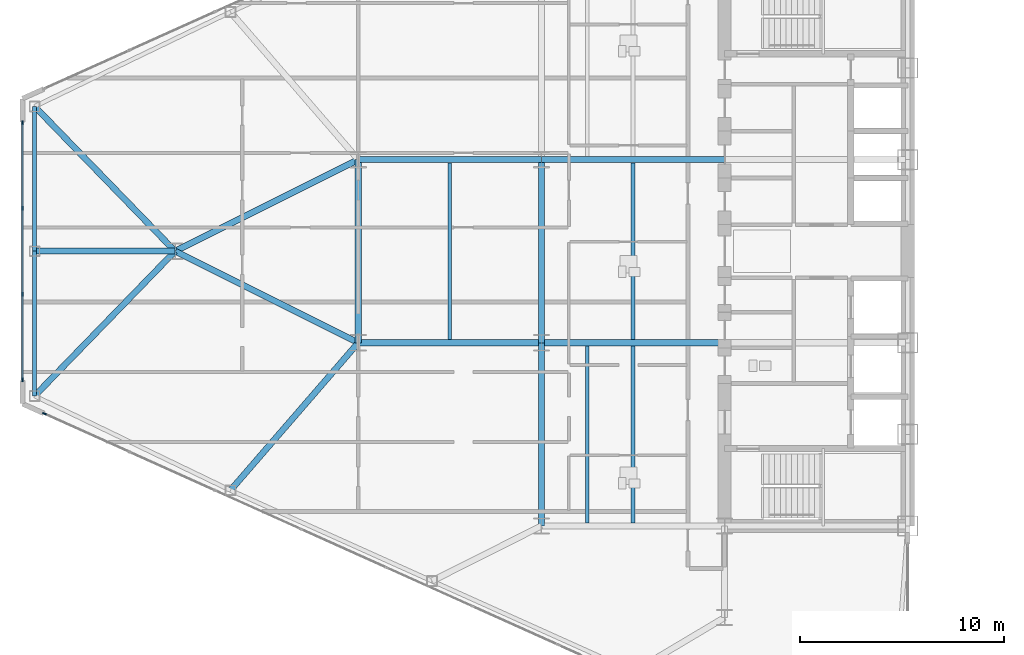
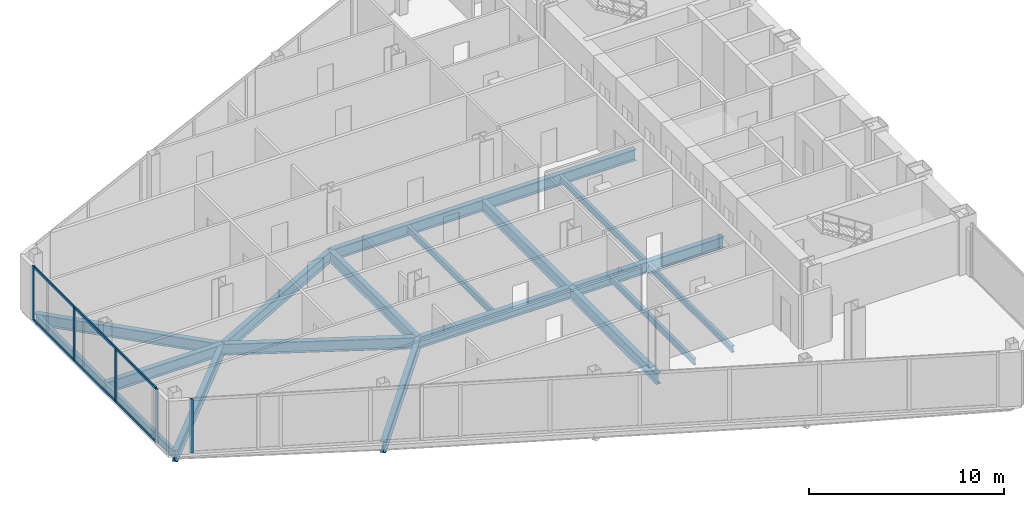
# One storey, part 5 of 27: 19 beams, 7 members, 2 elements without a shape of their own.
"""IFC4 building model written with IfcOpenShell, lengths in metres."""

import ifcopenshell
import ifcopenshell.guid

model = None  # the IFC model being written
_history = None  # IfcOwnerHistory: only IFC2X3 demands one
_inside = {}  # id of a spatial element -> (the spatial element, [elements in it])
_under = {}  # id of a project, library or spatial element -> (it, [spatial elements below it])
_declared = {}  # id of a project -> (the project, [libraries it declares])
_typed = {}  # id of a type object -> (the type object, [elements of that type])
_made_of = {}  # id of a material, layer set ... -> (it, [elements and type objects made of it])


def new_model(schema):
    """Start an empty IFC model of exactly this schema.

    Asked for "IFC4X3", IfcOpenShell would pick the latest addendum, in which some entities
    have other attributes; the version numbers below select the first issue.
    IFC2X3 requires an IfcOwnerHistory on every rooted entity: one is made here for all.
    """
    global model, _history
    if schema == "IFC4X3":
        model = ifcopenshell.file(schema_version=(4, 3, 0, 0))
    else:
        model = ifcopenshell.file(schema=schema)
    _inside.clear()
    _under.clear()
    _declared.clear()
    _typed.clear()
    _made_of.clear()
    _history = None
    if model.schema == "IFC2X3":
        org = make("IfcOrganization", Name="unknown")
        user = make(
            "IfcPersonAndOrganization",
            ThePerson=make("IfcPerson", FamilyName="unknown"),
            TheOrganization=org,
        )
        app = make(
            "IfcApplication",
            ApplicationDeveloper=org,
            Version="unknown",
            ApplicationFullName="unknown",
            ApplicationIdentifier="unknown",
        )
        _history = make(
            "IfcOwnerHistory",
            OwningUser=user,
            OwningApplication=app,
            ChangeAction="ADDED",
            CreationDate=0,
        )
    return model


def make(cls, **values):
    """One entity of the class cls with the attributes given. An attribute that is None is left unset."""
    return model.create_entity(
        cls, **{name: value for name, value in values.items() if value is not None}
    )


def rooted(cls, **values):
    """An entity with a GlobalId (a new one), such as an element, a storey or a relation."""
    return make(cls, GlobalId=ifcopenshell.guid.new(), OwnerHistory=_history, **values)


def si_unit(unit_type, name, prefix=None):
    """IfcSIUnit, for example si_unit("LENGTHUNIT", "METRE", prefix="MILLI")."""
    return make("IfcSIUnit", UnitType=unit_type, Prefix=prefix, Name=name)


def assignment(units):
    """IfcUnitAssignment: the units of a project."""
    return None if units is None else make("IfcUnitAssignment", Units=units)


def point(xyz):
    """IfcCartesianPoint."""
    return None if xyz is None else make("IfcCartesianPoint", Coordinates=xyz)


def direction(xyz):
    """IfcDirection."""
    return None if xyz is None else make("IfcDirection", DirectionRatios=xyz)


def frame(location, z_axis=None, x_axis=None):
    """IfcAxis2Placement3D, a coordinate frame: its origin and axes. An axis left out is left unset."""
    return make(
        "IfcAxis2Placement3D",
        Location=point(location),
        Axis=direction(z_axis),
        RefDirection=direction(x_axis),
    )


def frame_2d(location, x_axis=None):
    """IfcAxis2Placement2D, a coordinate frame in the plane: its origin and x axis."""
    return make(
        "IfcAxis2Placement2D", Location=point(location), RefDirection=direction(x_axis)
    )


def origin():
    """The frame at (0, 0, 0) with its axes left unset."""
    return frame((0.0, 0.0, 0.0))


def origin_2d():
    """The frame at (0, 0) in the plane with its x axis left unset."""
    return frame_2d((0.0, 0.0))


def place(relative_to, where):
    """IfcLocalPlacement: puts the frame where relative to a parent placement (None: the world)."""
    return make(
        "IfcLocalPlacement", PlacementRelTo=relative_to, RelativePlacement=where
    )


def context(
    kind, dimensions, precision=None, world=None, true_north=None, identifier=None
):
    """IfcGeometricRepresentationContext, for example the 3D "Model" context."""
    return make(
        "IfcGeometricRepresentationContext",
        ContextIdentifier=identifier,
        ContextType=kind,
        CoordinateSpaceDimension=dimensions,
        Precision=precision,
        WorldCoordinateSystem=world,
        TrueNorth=true_north,
    )


def subcontext(parent, identifier, kind, view, scale=None):
    """IfcGeometricRepresentationSubContext, for example "Body" below "Model"."""
    return make(
        "IfcGeometricRepresentationSubContext",
        ContextIdentifier=identifier,
        ContextType=kind,
        ParentContext=parent,
        TargetScale=scale,
        TargetView=view,
    )


def project(units=None, contexts=None):
    """IfcProject with its units and contexts."""
    return rooted(
        "IfcProject",
        Name="project",
        RepresentationContexts=contexts,
        UnitsInContext=assignment(units),
    )


def spatial(cls, under=None, at=None, **own):
    """A site, building, storey or space (cls), placed at a placement, below another one or the project."""
    s = rooted(cls, ObjectPlacement=at, **own)
    if under is not None:
        _under.setdefault(under.id(), (under, []))[1].append(s)
    return s


def profile(cls, at=None, kind="AREA", **sizes):
    """A parametric profile (cls). Its sizes go by their IFC names, for example OverallWidth=200.0."""
    return make(cls, ProfileType=kind, Position=at, **sizes)


def rectangle(**sizes):
    """IfcRectangleProfileDef."""
    return profile("IfcRectangleProfileDef", **sizes)


def i_section(**sizes):
    """IfcIShapeProfileDef."""
    return profile("IfcIShapeProfileDef", **sizes)


def extrude(swept, where, along, depth):
    """IfcExtrudedAreaSolid: the profile swept, set in the frame where, extruded along a direction by depth."""
    return make(
        "IfcExtrudedAreaSolid",
        SweptArea=swept,
        Position=where,
        ExtrudedDirection=direction(along),
        Depth=depth,
    )


def shape(context_of_items, identifier, shape_type, items):
    """IfcShapeRepresentation: the items that make up one representation, for example the "Body"."""
    return make(
        "IfcShapeRepresentation",
        ContextOfItems=context_of_items,
        RepresentationIdentifier=identifier,
        RepresentationType=shape_type,
        Items=items,
    )


def source(mapping_origin, context_of_items, identifier, shape_type, items):
    """IfcRepresentationMap: a shape defined once, which mapped items show again and again."""
    return make(
        "IfcRepresentationMap",
        MappingOrigin=mapping_origin,
        MappedRepresentation=shape(context_of_items, identifier, shape_type, items),
    )


def transform(
    local_origin,
    x_axis=None,
    y_axis=None,
    z_axis=None,
    scale=None,
    scale2=None,
    scale3=None,
    uniform=True,
):
    """IfcCartesianTransformationOperator3D, or its non-uniform kind. x_axis, y_axis, z_axis: its Axis1, 2, 3."""
    if uniform:
        return make(
            "IfcCartesianTransformationOperator3D",
            Axis1=direction(x_axis),
            Axis2=direction(y_axis),
            LocalOrigin=point(local_origin),
            Scale=scale,
            Axis3=direction(z_axis),
        )
    return make(
        "IfcCartesianTransformationOperator3DnonUniform",
        Axis1=direction(x_axis),
        Axis2=direction(y_axis),
        LocalOrigin=point(local_origin),
        Scale=scale,
        Axis3=direction(z_axis),
        Scale2=scale2,
        Scale3=scale3,
    )


def mapped(mapping_source, mapping_target):
    """IfcMappedItem: shows the shape of a source again, moved by a transform."""
    return make(
        "IfcMappedItem", MappingSource=mapping_source, MappingTarget=mapping_target
    )


def material(Name=None, Category=None):
    """IfcMaterial."""
    return make("IfcMaterial", Name=Name, Category=Category)


def layer(
    of_material, thickness, ventilated=None, Name=None, Category=None, Priority=None
):
    """IfcMaterialLayer: one layer of a wall or slab, of a material (None: an air gap)."""
    return make(
        "IfcMaterialLayer",
        Material=of_material,
        LayerThickness=thickness,
        IsVentilated=ventilated,
        Name=Name,
        Category=Category,
        Priority=Priority,
    )


def layer_set(layers, Name=None):
    """IfcMaterialLayerSet."""
    return make("IfcMaterialLayerSet", MaterialLayers=layers, LayerSetName=Name)


def material_profile(
    of_material, cross_section, Name=None, Category=None, Priority=None
):
    """IfcMaterialProfile: a cross section and its material."""
    return make(
        "IfcMaterialProfile",
        Name=Name,
        Material=of_material,
        Profile=cross_section,
        Priority=Priority,
        Category=Category,
    )


def profile_set(profiles, Name=None, composite=None):
    """IfcMaterialProfileSet."""
    return make(
        "IfcMaterialProfileSet",
        Name=Name,
        MaterialProfiles=profiles,
        CompositeProfile=composite,
    )


def made_of(thing, what):
    """Note that an element or type object is made of a material, layer set ...; save() writes the relation."""
    if what is not None:
        _made_of.setdefault(what.id(), (what, []))[1].append(thing)
    return thing


def type_object(cls, material=None, **own):
    """A type object (cls), such as IfcWallType, which elements share."""
    return made_of(rooted(cls, **own), material)


def type_shapes(of_type, sources):
    """Give a type object the sources (RepresentationMaps) that its elements show as mapped items."""
    of_type.RepresentationMaps = sources


def element(
    cls,
    number,
    at=None,
    inside=None,
    cuts=None,
    type_object=None,
    material=None,
    context=None,
    identifier="Body",
    shape_type=None,
    held_by="IfcProductDefinitionShape",
    body=None,
    shapes=None,
    **own,
):
    """One element of the class cls, such as IfcWall. Its Tag is "e" and its number.

    at: its placement. inside: the storey or other place that contains it. cuts: it is an
    opening in that element (IfcRelVoidsElement). A single representation is given by context,
    identifier, shape_type and body (its items); several are given by shapes. held_by: the class
    of the entity that holds the representations. save() writes the other relations.
    """
    e = rooted(cls, Tag="e%d" % number, ObjectPlacement=at, **own)
    if body is not None:
        shapes = [shape(context, identifier, shape_type, body)]
    if shapes is not None:
        e.Representation = make(held_by, Representations=shapes)
    if inside is not None:
        _inside.setdefault(inside.id(), (inside, []))[1].append(e)
    if cuts is not None:
        rooted(
            "IfcRelVoidsElement", RelatingBuildingElement=cuts, RelatedOpeningElement=e
        )
    if type_object is not None:
        _typed.setdefault(type_object.id(), (type_object, []))[1].append(e)
    return made_of(e, material)


def aggregate(whole, parts):
    """IfcRelAggregates: a whole, such as a stair, and the parts it consists of."""
    return rooted("IfcRelAggregates", RelatingObject=whole, RelatedObjects=parts)


def save(model, path):
    """Write the relations noted so far, then the file.

    IfcRelAggregates (storeys below a building ...), IfcRelContainedInSpatialStructure (elements
    in a storey), IfcRelDefinesByType, IfcRelAssociatesMaterial and IfcRelDeclares: one each for
    every whole, place, type object, material and project.
    """
    for whole, parts in _under.values():
        aggregate(whole, parts)
    for where, things in _inside.values():
        rooted(
            "IfcRelContainedInSpatialStructure",
            RelatedElements=things,
            RelatingStructure=where,
        )
    for kind, things in _typed.values():
        rooted("IfcRelDefinesByType", RelatedObjects=things, RelatingType=kind)
    for what, things in _made_of.values():
        rooted("IfcRelAssociatesMaterial", RelatedObjects=things, RelatingMaterial=what)
    for by, libraries in _declared.values():
        rooted("IfcRelDeclares", RelatingContext=by, RelatedDefinitions=libraries)
    model.write(path)


model = new_model("IFC4")

# Units and contexts
model_context = context("Model", 3, precision=1e-05, world=origin(), true_north=direction((0.0, 1.0)))
body_context = subcontext(model_context, "Body", "Model", "MODEL_VIEW")
ifc_project = project(units=[si_unit("LENGTHUNIT", "METRE"), si_unit("AREAUNIT", "SQUARE_METRE"), si_unit("VOLUMEUNIT", "CUBIC_METRE"), si_unit("PLANEANGLEUNIT", "RADIAN"), si_unit("MASSUNIT", "GRAM", prefix="KILO")], contexts=[model_context])

# Site, building, storey
site_placement = place(None, origin())
site = spatial("IfcSite", under=ifc_project, at=site_placement, CompositionType="ELEMENT")
building_placement = place(site_placement, origin())
building = spatial("IfcBuilding", under=site, at=building_placement, Name="Seokmaru Belvedere", CompositionType="ELEMENT")
storey_placement = place(building_placement, frame((0.0, 0.0, 99.60009765625)))
storey = spatial("IfcBuildingStorey", under=building, at=storey_placement, Name="L26", CompositionType="ELEMENT", Elevation=99.60009765625)

# Beams
ifc_material_1 = material(Name="Steel SM355 (355 MPa)", Category="steel")
ifc_material_profile_1 = material_profile(ifc_material_1, i_section(OverallWidth=0.300048828125, OverallDepth=0.699951171875, WebThickness=0.012939453125, FlangeThickness=0.02392578125, at=origin_2d()), Name="H-700x300x13x24")
ifc_profile_set_1 = profile_set([ifc_material_profile_1], Name="Steel SM355 (355 MPa)")
beam_type_1 = type_object("IfcBeamType", Name="Primary Floor Girder H-700", PredefinedType="BEAM", material=ifc_profile_set_1)
shared_shape_1 = source(origin(), body_context, "Body", "SweptSolid", [
    extrude(i_section(OverallWidth=0.300048828125, OverallDepth=0.699951171875, WebThickness=0.012939453125, FlangeThickness=0.02392578125, at=origin_2d()), origin(), (0.0, 0.0, 1.0), 9.0),
])
for number, where, z_axis, x_axis, name in (
    (1, (-45.5, -13.5, -0.570068359375), (0.0, 1.0, 0.0), (-1.0, 0.0, 0.0), "L26 W Interior Grid Girder 1"),
    (2, (-45.5, -4.5, -0.570068359375), (0.0, 1.0, 0.0), (-1.0, 0.0, 0.0), "L26 W Interior Grid Girder 2"),
    (3, (-45.5, -4.5, -0.570068359375), (1.0, 0.0, 0.0), (0.0, 1.0, 0.0), "L26 W Wing Primary Girder 2"),
    (4, (-45.5, 4.5, -0.570068359375), (1.0, 0.0, 0.0), (0.0, 1.0, 0.0), "L26 W Wing Primary Girder 3"),
    (5, (-54.5, -4.5, -0.570068359375), (1.0, 0.0, 0.0), (0.0, 1.0, 0.0), "L26 W Outer Wing Girder 1"),
    (6, (-54.5, 4.5, -0.570068359375), (1.0, 0.0, 0.0), (0.0, 1.0, 0.0), "L26 W Outer Wing Girder 2"),
    (7, (-54.5, -4.5, -0.570068359375), (0.0, 1.0, 0.0), (-1.0, 0.0, 0.0), "L26 W Apex Frame Girder"),
):
    element("IfcBeam", number, at=place(storey_placement, frame(where, z_axis=z_axis, x_axis=x_axis)), inside=storey, type_object=beam_type_1, Name=name, PredefinedType="BEAM", context=body_context, shape_type="MappedRepresentation", body=[
        mapped(shared_shape_1, transform((0.0, 0.0, 0.0), scale=1.0)),
    ])
shared_shape_2 = source(origin(), body_context, "Body", "SweptSolid", [
    extrude(i_section(OverallWidth=0.300048828125, OverallDepth=0.699951171875, WebThickness=0.012939453125, FlangeThickness=0.02392578125, at=origin_2d()), origin(), (0.0, 0.0, 1.0), 10.062255859375),
])
for number, where, z_axis, x_axis, name in (
    (8, (-54.5, -4.5, -0.570068359375), (-0.894427191, 0.4472135955, 0.0), (-0.4472135955, -0.894427191, 0.0), "L26 W Apex Converging Girder 1"),
    (9, (-54.5, 4.5, -0.570068359375), (-0.894427191, -0.4472135955, 0.0), (0.4472135955, -0.894427191, 0.0), "L26 W Apex Converging Girder 2"),
):
    element("IfcBeam", number, at=place(storey_placement, frame(where, z_axis=z_axis, x_axis=x_axis)), inside=storey, type_object=beam_type_1, Name=name, PredefinedType="BEAM", context=body_context, shape_type="MappedRepresentation", body=[
        mapped(shared_shape_2, transform((0.0, 0.0, 0.0), scale=1.0)),
    ])
ifc_material_profile_2 = material_profile(ifc_material_1, i_section(OverallWidth=0.18505859375, OverallDepth=0.389892578125, WebThickness=0.008056640625, FlangeThickness=0.011962890625, at=origin_2d()), Name="H-390x185x8x12")
ifc_profile_set_2 = profile_set([ifc_material_profile_2], Name="Steel SM355 (355 MPa)")
beam_type_2 = type_object("IfcBeamType", Name="Secondary Floor Joist H-350", PredefinedType="JOIST", material=ifc_profile_set_2)
shared_shape_3 = source(origin(), body_context, "Body", "SweptSolid", [
    extrude(i_section(OverallWidth=0.18505859375, OverallDepth=0.389892578125, WebThickness=0.008056640625, FlangeThickness=0.011962890625, at=origin_2d()), origin(), (0.0, 0.0, 1.0), 8.68994140625),
])
type_shapes(beam_type_2, [shared_shape_3])
for number, where, z_axis, x_axis, name in (
    (10, (-43.25, -13.344970703125, -0.4150390625), (0.0, 1.0, 0.0), (-1.0, 0.0, 0.0), "L26 W Wing Inner Secondary Joist 1"),
    (11, (-41.0, -13.344970703125, -0.4150390625), (0.0, 1.0, 0.0), (-1.0, 0.0, 0.0), "L26 W Secondary Floor Joist 1"),
    (12, (-41.0, -4.344970703125, -0.4150390625), (0.0, 1.0, 0.0), (-1.0, 0.0, 0.0), "L26 W Secondary Floor Joist 2"),
    (13, (-50.0, -4.344970703125, -0.4150390625), (0.0, 1.0, 0.0), (-1.0, 0.0, 0.0), "L26 W Outer Bay Secondary Joist"),
):
    element("IfcBeam", number, at=place(storey_placement, frame(where, z_axis=z_axis, x_axis=x_axis)), inside=storey, type_object=beam_type_2, Name=name, PredefinedType="JOIST", context=body_context, shape_type="MappedRepresentation", body=[
        mapped(shared_shape_3, transform((0.0, 0.0, 0.0), scale=1.0)),
    ])
ifc_material_profile_3 = material_profile(ifc_material_1, i_section(OverallWidth=0.199951171875, OverallDepth=0.5, WebThickness=0.010009765625, FlangeThickness=0.01611328125, at=origin_2d()), Name="H-500x200x10x16")
ifc_profile_set_3 = profile_set([ifc_material_profile_3], Name="Steel SM355 (355 MPa)")
beam_type_3 = type_object("IfcBeamType", Name="Perimeter Spandrel Beam H-500", PredefinedType="SPANDREL", material=ifc_profile_set_3)
shared_shape_4 = source(origin(), body_context, "Body", "SweptSolid", [
    extrude(i_section(OverallWidth=0.199951171875, OverallDepth=0.5, WebThickness=0.010009765625, FlangeThickness=0.01611328125, at=origin_2d()), origin(), (0.0, 0.0, 1.0), 7.112060546875),
])
type_shapes(beam_type_3, [shared_shape_4])
for number, where, z_axis, x_axis, name in (
    (14, (-70.39990234375, -7.112060546875, -0.47021484375), (0.0, 1.0, 0.0), (-1.0, 0.0, 0.0), "L26 W Faceted Apex Spandrel S"),
    (15, (-70.39990234375, 0.0, -0.47021484375), (0.0, 1.0, 0.0), (-1.0, 0.0, 0.0), "L26 W Faceted Apex Spandrel N"),
):
    element("IfcBeam", number, at=place(storey_placement, frame(where, z_axis=z_axis, x_axis=x_axis)), inside=storey, type_object=beam_type_3, Name=name, PredefinedType="SPANDREL", context=body_context, shape_type="MappedRepresentation", body=[
        mapped(shared_shape_4, transform((0.0, 0.0, 0.0), scale=1.0)),
    ])
shared_shape_5 = source(origin(), body_context, "Body", "SweptSolid", [
    extrude(i_section(OverallWidth=0.300048828125, OverallDepth=0.699951171875, WebThickness=0.012939453125, FlangeThickness=0.02392578125, at=origin_2d()), origin(), (0.0, 0.0, 1.0), 9.589599609375),
])
beam_1_placement = place(storey_placement, frame((-60.777587890625, -11.749267578125, -0.570068359375), z_axis=(0.654626140929, 0.755952786629, 0.0), x_axis=(-0.755952786629, 0.654626140929, 0.0)))
element("IfcBeam", 16, at=beam_1_placement, inside=storey, type_object=beam_type_1, Name="L26 W Flank Radial Floor Girder S-3", PredefinedType="BEAM", context=body_context, shape_type="MappedRepresentation", body=[
    mapped(shared_shape_5, transform((0.0, 0.0, 0.0), scale=1.0)),
])
shared_shape_6 = source(origin(), body_context, "Body", "SweptSolid", [
    extrude(i_section(OverallWidth=0.300048828125, OverallDepth=0.699951171875, WebThickness=0.012939453125, FlangeThickness=0.02392578125, at=origin_2d()), origin(), (0.0, 0.0, 1.0), 9.9091796875),
])
for number, where, z_axis, x_axis, name in (
    (17, (-70.39990234375, -7.112060546875, -0.570068359375), (0.6963205089, 0.717730972499, 0.0), (-0.717730972499, 0.6963205089, 0.0), "L26 W Apex Radial Floor Girder 1"),
    (18, (-70.39990234375, 7.112060546875, -0.570068359375), (0.6963205089, -0.717730972499, 0.0), (0.717730972499, 0.6963205089, 0.0), "L26 W Apex Radial Floor Girder 2"),
):
    element("IfcBeam", number, at=place(storey_placement, frame(where, z_axis=z_axis, x_axis=x_axis)), inside=storey, type_object=beam_type_1, Name=name, PredefinedType="BEAM", context=body_context, shape_type="MappedRepresentation", body=[
        mapped(shared_shape_6, transform((0.0, 0.0, 0.0), scale=1.0)),
    ])
shared_shape_7 = source(origin(), body_context, "Body", "SweptSolid", [
    extrude(i_section(OverallWidth=0.300048828125, OverallDepth=0.699951171875, WebThickness=0.012939453125, FlangeThickness=0.02392578125, at=origin_2d()), origin(), (0.0, 0.0, 1.0), 6.89990234375),
])
type_shapes(beam_type_1, [shared_shape_1, shared_shape_2, shared_shape_5, shared_shape_6, shared_shape_7])
beam_2_placement = place(storey_placement, frame((-70.39990234375, 0.0, -0.570068359375), z_axis=(1.0, 0.0, 0.0), x_axis=(0.0, 1.0, 0.0)))
element("IfcBeam", 19, at=beam_2_placement, inside=storey, type_object=beam_type_1, Name="L26 W Apex Center Radial Girder", PredefinedType="BEAM", context=body_context, shape_type="MappedRepresentation", body=[
    mapped(shared_shape_7, transform((0.0, 0.0, 0.0), scale=1.0)),
])

# Curtain wall, members
ifc_material_2 = material(Name="Bronze Triple Insulating Glass", Category="glass")
ifc_layer = layer(ifc_material_2, 0.195068359375)
ifc_layer_set = layer_set([ifc_layer], Name="Bronze Triple Insulating Glass")
curtain_wall_type = type_object("IfcCurtainWallType", Name="Lower-Mid Tapered Curtain Wall System CW-3", PredefinedType="NOTDEFINED", material=ifc_layer_set)
curtain_wall_1_placement = place(storey_placement, origin())
curtain_wall_1 = element("IfcCurtainWall", 20, at=curtain_wall_1_placement, inside=storey, type_object=curtain_wall_type, Name="L26 Curtain Wall WF4", PredefinedType="NOTDEFINED")
ifc_material_3 = material(Name="Anodised Bronze Aluminium", Category="aluminium")
ifc_material_profile_4 = material_profile(ifc_material_3, rectangle(XDim=0.070068359375, YDim=0.195068359375, at=origin_2d()), Name="CW-M-70x195")
ifc_profile_set_4 = profile_set([ifc_material_profile_4], Name="Anodised Bronze Aluminium")
member_type_1 = type_object("IfcMemberType", Name="Bronze Unitised Mullion 70x195", PredefinedType="MULLION", material=ifc_profile_set_4)
shared_shape_8 = source(origin(), body_context, "Body", "SweptSolid", [
    extrude(rectangle(XDim=0.070068359375, YDim=0.195068359375, at=origin_2d()), origin(), (0.0, 0.0, 1.0), 3.3798828125),
])
member_1_placement = place(storey_placement, frame((-71.0, 6.31494140625, 0.0), z_axis=(0.0, 0.0, 1.0), x_axis=(1.0, 0.0, 0.0)))
member_1 = element("IfcMember", 21, at=member_1_placement, type_object=member_type_1, Name="CW:L26:WF4 Mullion 1", PredefinedType="MULLION", context=body_context, shape_type="MappedRepresentation", body=[
    mapped(shared_shape_8, transform((0.0, 0.0, 0.0), scale=1.0)),
])
member_2_placement = place(storey_placement, frame((-71.0, -6.31494140625, 0.0), z_axis=(0.0, 0.0, 1.0), x_axis=(1.0, 0.0, 0.0)))
member_2 = element("IfcMember", 22, at=member_2_placement, type_object=member_type_1, Name="CW:L26:WF4 Mullion 4", PredefinedType="MULLION", context=body_context, shape_type="MappedRepresentation", body=[
    mapped(shared_shape_8, transform((0.0, 0.0, 0.0), scale=1.0)),
])

# Curtain wall, member
curtain_wall_2_placement = place(storey_placement, origin())
curtain_wall_2 = element("IfcCurtainWall", 23, at=curtain_wall_2_placement, inside=storey, type_object=curtain_wall_type, Name="L26 Curtain Wall WF5", PredefinedType="NOTDEFINED")
member_3_placement = place(storey_placement, frame((-69.91943359375, -7.986328125, 0.0), z_axis=(0.0, 0.0, 1.0), x_axis=(0.41036554765, 0.91192111353, 0.0)))
member_3 = element("IfcMember", 24, at=member_3_placement, type_object=member_type_1, Name="CW:L26:WF5 Mullion 1", PredefinedType="MULLION", context=body_context, shape_type="MappedRepresentation", body=[
    mapped(shared_shape_8, transform((0.0, 0.0, 0.0), scale=1.0)),
])
aggregate(curtain_wall_2, [member_3])

# Member
shared_shape_9 = source(origin(), body_context, "Body", "SweptSolid", [
    extrude(rectangle(XDim=0.070068359375, YDim=0.195068359375, at=origin_2d()), origin(), (0.0, 0.0, 1.0), 3.239990234375),
])
type_shapes(member_type_1, [shared_shape_8, shared_shape_9])
member_4_placement = place(storey_placement, frame((-71.0, 2.11669921875, 0.06982421875), z_axis=(0.0, 0.0, 1.0), x_axis=(1.0, 0.0, 0.0)))
member_4 = element("IfcMember", 25, at=member_4_placement, type_object=member_type_1, Name="CW:L26:WF4 Mullion 2", PredefinedType="MULLION", context=body_context, shape_type="MappedRepresentation", body=[
    mapped(shared_shape_9, transform((0.0, 0.0, 0.0), scale=1.0)),
])

member_5_placement = place(storey_placement, frame((-71.0, -2.11669921875, 0.06982421875), z_axis=(0.0, 0.0, 1.0), x_axis=(1.0, 0.0, 0.0)))
member_5 = element("IfcMember", 26, at=member_5_placement, type_object=member_type_1, Name="CW:L26:WF4 Mullion 3", PredefinedType="MULLION", context=body_context, shape_type="MappedRepresentation", body=[
    mapped(shared_shape_9, transform((0.0, 0.0, 0.0), scale=1.0)),
])

ifc_material_profile_5 = material_profile(ifc_material_3, rectangle(XDim=0.070068359375, YDim=0.1650390625, at=origin_2d()), Name="CW-T-70x165")
ifc_profile_set_5 = profile_set([ifc_material_profile_5], Name="Anodised Bronze Aluminium")
member_type_2 = type_object("IfcMemberType", Name="Bronze Unitised Transom 70x165", PredefinedType="USERDEFINED", material=ifc_profile_set_5)
shared_shape_10 = source(origin(), body_context, "Body", "SweptSolid", [
    extrude(rectangle(XDim=0.070068359375, YDim=0.1650390625, at=origin_2d()), origin(), (0.0, 0.0, 1.0), 12.56005859375),
])
type_shapes(member_type_2, [shared_shape_10])
member_6_placement = place(storey_placement, frame((-71.0, 6.280029296875, 0.034912109375), z_axis=(0.0, -1.0, 0.0), x_axis=(1.0, 0.0, 0.0)))
member_6 = element("IfcMember", 27, at=member_6_placement, type_object=member_type_2, Name="CW:L26:WF4 Continuous Transom 1", ObjectType="TRANSOM", PredefinedType="USERDEFINED", context=body_context, shape_type="MappedRepresentation", body=[
    mapped(shared_shape_10, transform((0.0, 0.0, 0.0), scale=1.0)),
])

member_7_placement = place(storey_placement, frame((-71.0, 6.280029296875, 3.344970703125), z_axis=(0.0, -1.0, 0.0), x_axis=(1.0, 0.0, 0.0)))
member_7 = element("IfcMember", 28, at=member_7_placement, type_object=member_type_2, Name="CW:L26:WF4 Continuous Transom 2", ObjectType="TRANSOM", PredefinedType="USERDEFINED", context=body_context, shape_type="MappedRepresentation", body=[
    mapped(shared_shape_10, transform((0.0, 0.0, 0.0), scale=1.0)),
])

aggregate(curtain_wall_1, [member_1, member_4, member_5, member_2, member_6, member_7])

save(model, "model.ifc")
